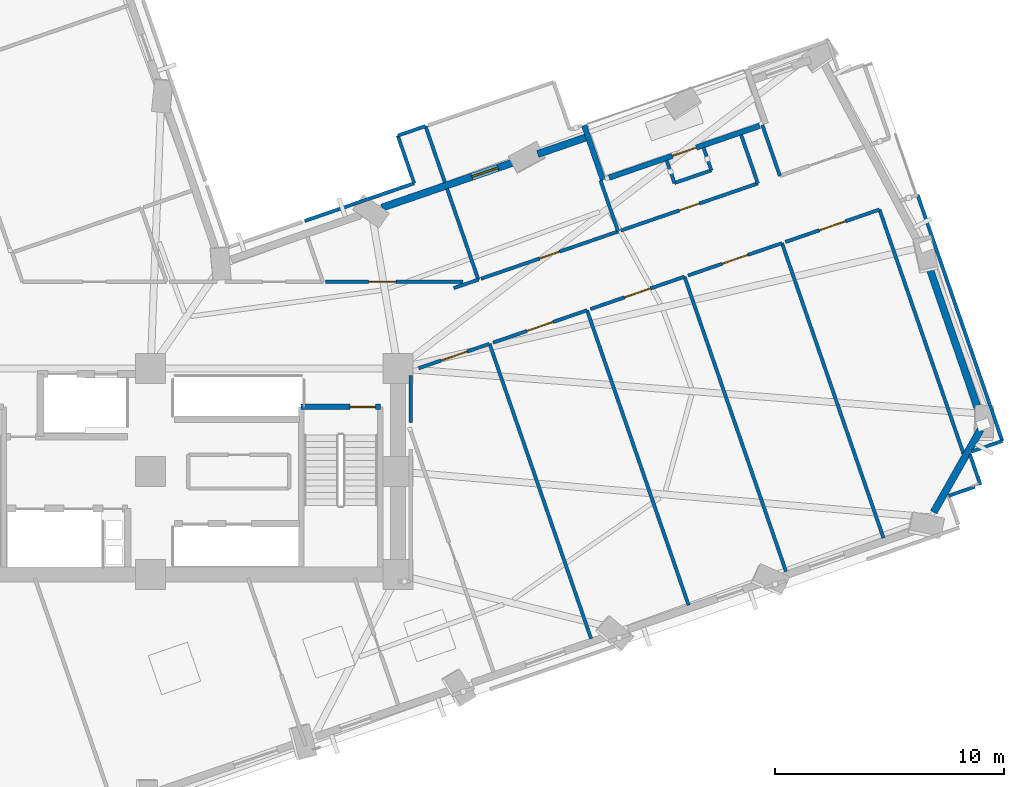
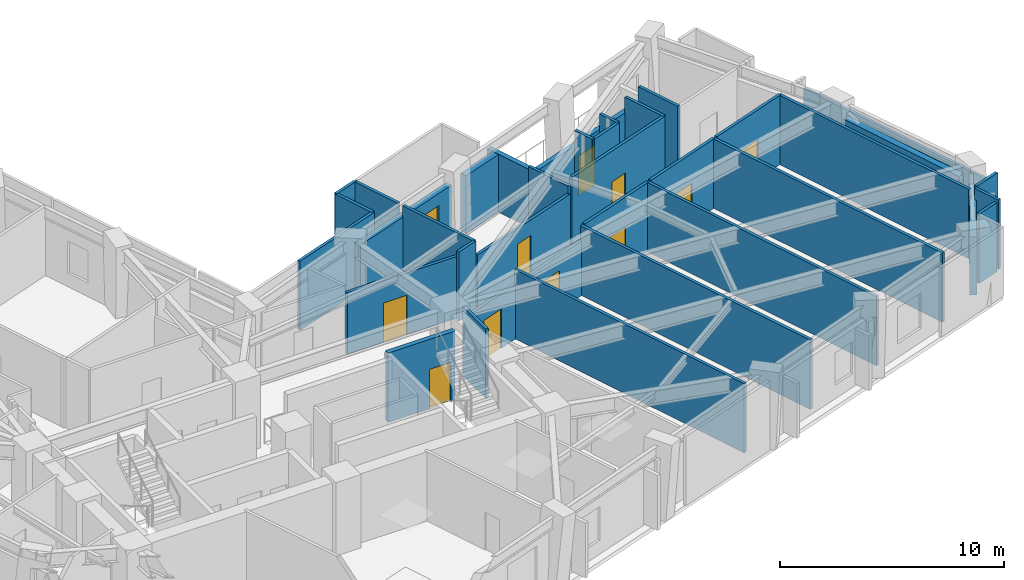
# One storey, part 9 of 15: 37 walls, 10 doors, 1 window, 11 openings.
"""IFC4 building model written with IfcOpenShell, lengths in metres."""

from ifc_helpers import new_model, si_unit, direction, frame, frame_2d, origin, place, context, subcontext, project, spatial, rectangle, extrude, material, layer, layer_set, type_object, element, fill, save


model = new_model("IFC4")

# Units and contexts
model_context = context("Model", 3, precision=1e-05, world=origin(), true_north=direction((0.0, 1.0)))
body_context = subcontext(model_context, "Body", "Model", "MODEL_VIEW")
ifc_project = project(units=[si_unit("LENGTHUNIT", "METRE"), si_unit("AREAUNIT", "SQUARE_METRE"), si_unit("VOLUMEUNIT", "CUBIC_METRE"), si_unit("PLANEANGLEUNIT", "RADIAN"), si_unit("MASSUNIT", "GRAM", prefix="KILO")], contexts=[model_context])

# Site, building, storey
site_placement = place(None, origin())
site = spatial("IfcSite", under=ifc_project, at=site_placement, CompositionType="ELEMENT")
building_placement = place(site_placement, origin())
building = spatial("IfcBuilding", under=site, at=building_placement, Name="Gaonmaruhae Medical Tower", CompositionType="ELEMENT")
storey_placement = place(building_placement, frame((0.0, 0.0, 104.39990234375)))
storey = spatial("IfcBuildingStorey", under=building, at=storey_placement, Name="L24", CompositionType="ELEMENT", Elevation=104.39990234375)

# Wall, opening, door
ifc_material_1 = material(Name="Precast concrete C45/55", Category="concrete")
ifc_layer_1 = layer(ifc_material_1, 0.239990234375)
ifc_layer_set_1 = layer_set([ifc_layer_1], Name="Precast concrete C45/55")
wall_type_1 = type_object("IfcWallType", Name="EW-240 Ribbon & Shelter Insulated Precast Wall", PredefinedType="SOLIDWALL", material=ifc_layer_set_1)
wall_1_placement = place(storey_placement, frame((44.807373046875, 25.12646484375, 0.0), z_axis=(0.0, 0.0, 1.0), x_axis=(0.945511565556, 0.325588512391, 0.0)))
wall_1 = element("IfcWall", 1, at=wall_1_placement, inside=storey, type_object=wall_type_1, Name="L24 Recessed Terrace Enclosure Wall TERB", PredefinedType="SOLIDWALL", context=body_context, shape_type="SweptSolid", body=[
    extrude(rectangle(XDim=6.9599609375, YDim=0.239990234375, at=frame_2d((3.47998046875, 0.0))), origin(), (0.0, 0.0, 1.0), 2.945068359375),
])
opening_1_placement = place(wall_1_placement, frame((2.929931640625, 0.0, 0.0)))
opening_1 = element("IfcOpeningElement", 2, at=opening_1_placement, cuts=wall_1, Name="Opening TD-01", PredefinedType="OPENING", context=body_context, shape_type="SweptSolid", body=[
    extrude(rectangle(XDim=1.10009765625, YDim=2.14990234375, at=frame_2d((0.550048828125, 1.074951171875))), frame((0.0, 0.1298828125, 0.0), z_axis=(0.0, -1.0, 0.0), x_axis=(1.0, 0.0, 0.0)), (0.0, 0.0, 1.0), 0.260009765625),
])
ifc_material_2 = material(Name="Anodised aluminium and toughened safety glass", Category="aluminium")
door_type_1 = type_object("IfcDoorType", Name="TD-01 Terrace & Sky Garden Glazed Door 1100x2150", OperationType="NOTDEFINED", PredefinedType="DOOR", material=ifc_material_2)
door_1_placement = place(opening_1_placement, origin())
door_1 = element("IfcDoor", 3, at=door_1_placement, inside=storey, type_object=door_type_1, Name="L24 Outdoor Terrace Access Door SLB-L24-TER", OperationType="SINGLE_SWING_RIGHT", OverallHeight=2.14990234375, OverallWidth=1.10009765625, PredefinedType="DOOR", context=body_context, shape_type="SweptSolid", body=[
    extrude(rectangle(XDim=1.10009765625, YDim=2.14990234375, at=frame_2d((0.550048828125, 1.074951171875))), frame((0.0, 0.02490234375, 0.0), z_axis=(0.0, -1.0, 0.0), x_axis=(1.0, 0.0, 0.0)), (0.0, 0.0, 1.0), 0.050048828125),
])
fill(opening_1, door_1)

# Walls
wall_2_placement = place(storey_placement, frame((43.728515625, 27.399169921875, 0.0), z_axis=(0.0, 0.0, 1.0), x_axis=(0.325587365823, -0.945511960377, 0.0)))
element("IfcWall", 4, at=wall_2_placement, inside=storey, type_object=wall_type_1, Name="L24 Recessed Terrace Enclosure Wall TERL", PredefinedType="SOLIDWALL", context=body_context, shape_type="SweptSolid", body=[
    extrude(rectangle(XDim=2.5, YDim=0.239990234375, at=frame_2d((1.25, 0.0))), origin(), (0.0, 0.0, 1.0), 3.1650390625),
])
ifc_layer_2 = layer(ifc_material_1, 0.320068359375)
ifc_layer_set_2 = layer_set([ifc_layer_2], Name="Precast concrete C45/55")
wall_type_2 = type_object("IfcWallType", Name="EW-320 Lower Precast Masonry-Frame Facade Wall", PredefinedType="SOLIDWALL", material=ifc_layer_set_2)
wall_3_placement = place(storey_placement, frame((61.02783203125, 14.130615234375, 0.0), z_axis=(0.0, 0.0, 1.0), x_axis=(-0.493205746838, -0.86991269176, 0.0)))
element("IfcWall", 5, at=wall_3_placement, inside=storey, type_object=wall_type_2, Name="L24 Precast Masonry-Frame Wall S07-E01", PredefinedType="SOLIDWALL", context=body_context, shape_type="SweptSolid", body=[
    extrude(rectangle(XDim=4.145263671875, YDim=0.320068359375, at=frame_2d((2.07275390625, 0.0))), origin(), (0.0, 0.0, 1.0), 3.1650390625),
])
wall_4_placement = place(storey_placement, frame((58.7109375, 21.443115234375, 0.0), z_axis=(0.0, 0.0, 1.0), x_axis=(0.325581466637, -0.945513991743, 0.0)))
element("IfcWall", 6, at=wall_4_placement, inside=storey, type_object=wall_type_2, Name="L24 Precast Masonry-Frame Wall E01-E02", PredefinedType="SOLIDWALL", context=body_context, shape_type="SweptSolid", body=[
    extrude(rectangle(XDim=6.84033203125, YDim=0.320068359375, at=frame_2d((3.420166015625, 0.0))), origin(), (0.0, 0.0, 1.0), 3.1650390625),
])
wall_5_placement = place(storey_placement, frame((41.700927734375, 26.16162109375, 0.0), z_axis=(0.0, 0.0, 1.0), x_axis=(0.945527409694, 0.325542497253, 0.0)))
element("IfcWall", 7, at=wall_5_placement, inside=storey, type_object=wall_type_2, Name="L24 Precast Masonry-Frame Wall EN01-EN02", PredefinedType="SOLIDWALL", context=body_context, shape_type="SweptSolid", body=[
    extrude(rectangle(XDim=2.300048828125, YDim=0.320068359375, at=frame_2d((1.14990234375, 0.0))), origin(), (0.0, 0.0, 1.0), 3.14501953125),
])

# Wall, opening, window
wall_6_placement = place(storey_placement, frame((34.8974609375, 23.819091796875, 0.0), z_axis=(0.0, 0.0, 1.0), x_axis=(0.945528264012, 0.325540015903, 0.0)))
wall_6 = element("IfcWall", 8, at=wall_6_placement, inside=storey, type_object=wall_type_2, Name="L24 Precast Masonry-Frame Wall EN02-EN03", PredefinedType="SOLIDWALL", context=body_context, shape_type="SweptSolid", body=[
    extrude(rectangle(XDim=6.211181640625, YDim=0.320068359375, at=frame_2d((3.10546875, 0.0))), origin(), (0.0, 0.0, 1.0), 3.1650390625),
])
opening_2_placement = place(wall_6_placement, frame((4.148193359375, 0.0, 0.75)))
opening_2 = element("IfcOpeningElement", 9, at=opening_2_placement, cuts=wall_6, Name="Opening WN-05", PredefinedType="OPENING", context=body_context, shape_type="SweptSolid", body=[
    extrude(rectangle(XDim=1.199951171875, YDim=1.75, at=frame_2d((0.60009765625, 0.875))), frame((0.0, 0.169921875, 0.0), z_axis=(0.0, -1.0, 0.0), x_axis=(1.0, 0.0, 0.0)), (0.0, 0.0, 1.0), 0.340087890625),
])
ifc_material_3 = material(Name="Anodised aluminium and Low-E double glazing", Category="aluminium")
window_type = type_object("IfcWindowType", Name="WN-05 Support & Staff Punched Window 1200x1750", PartitioningType="SINGLE_PANEL", PredefinedType="WINDOW", material=ifc_material_3)
window_placement = place(opening_2_placement, origin())
window = element("IfcWindow", 10, at=window_placement, inside=storey, type_object=window_type, Name="L24 Modular Facade Window EN02", OverallHeight=1.75, OverallWidth=1.199951171875, PartitioningType="SINGLE_PANEL", PredefinedType="WINDOW", context=body_context, shape_type="SweptSolid", body=[
    extrude(rectangle(XDim=1.199951171875, YDim=1.75, at=frame_2d((0.60009765625, 0.875))), frame((0.0, 0.030029296875, 0.0), z_axis=(0.0, -1.0, 0.0), x_axis=(1.0, 0.0, 0.0)), (0.0, 0.0, 1.0), 0.06005859375),
])
fill(opening_2, window)

# Wall, opening, door
ifc_material_4 = material(Name="Gypsum board partition", Category="gypsum")
ifc_layer_3 = layer(ifc_material_4, 0.14990234375)
ifc_layer_set_3 = layer_set([ifc_layer_3], Name="Gypsum board partition")
wall_type_3 = type_object("IfcWallType", Name="PW-150 Rated Clinical Corridor Partition", PredefinedType="PARTITIONING", material=ifc_layer_set_3)
wall_7_placement = place(storey_placement, frame((36.5, 16.80908203125, 0.0), z_axis=(0.0, 0.0, 1.0), x_axis=(0.945528180051, 0.325540259767, 0.0)))
wall_7 = element("IfcWall", 11, at=wall_7_placement, inside=storey, type_object=wall_type_3, Name="L24 Interior Partition L24-SUP07-15", PredefinedType="PARTITIONING", context=body_context, shape_type="SweptSolid", body=[
    extrude(rectangle(XDim=3.2744140625, YDim=0.14990234375, at=frame_2d((1.63720703125, 0.0))), origin(), (0.0, 0.0, 1.0), 2.965087890625),
])
opening_3_placement = place(wall_7_placement, frame((1.037109375, 0.0, 0.0)))
opening_3 = element("IfcOpeningElement", 12, at=opening_3_placement, cuts=wall_7, Name="Opening CD-02", PredefinedType="OPENING", context=body_context, shape_type="SweptSolid", body=[
    extrude(rectangle(XDim=1.199951171875, YDim=2.14990234375, at=frame_2d((0.60009765625, 1.074951171875))), frame((0.0, 0.0849609375, 0.0), z_axis=(0.0, -1.0, 0.0), x_axis=(1.0, 0.0, 0.0)), (0.0, 0.0, 1.0), 0.169921875),
])
ifc_material_5 = material(Name="Antimicrobial laminate timber fire door", Category="wood")
door_type_2 = type_object("IfcDoorType", Name="CD-02 Clinical Treatment & Procedure Door 1200x2150", OperationType="NOTDEFINED", PredefinedType="DOOR", material=ifc_material_5)
door_2_placement = place(opening_3_placement, origin())
door_2 = element("IfcDoor", 13, at=door_2_placement, inside=storey, type_object=door_type_2, Name="L24 Clinical Biomedical Charting Office Door", OperationType="SINGLE_SWING_RIGHT", OverallHeight=2.14990234375, OverallWidth=1.199951171875, PredefinedType="DOOR", context=body_context, shape_type="SweptSolid", body=[
    extrude(rectangle(XDim=1.199951171875, YDim=2.14990234375, at=frame_2d((0.60009765625, 1.074951171875))), frame((0.0, 0.02490234375, 0.0), z_axis=(0.0, -1.0, 0.0), x_axis=(1.0, 0.0, 0.0)), (0.0, 0.0, 1.0), 0.050048828125),
])
fill(opening_3, door_2)

# Walls
wall_8_placement = place(storey_placement, frame((39.595947265625, 17.875, 0.0), z_axis=(0.0, 0.0, 1.0), x_axis=(0.325604923225, -0.945505914298, 0.0)))
element("IfcWall", 14, at=wall_8_placement, inside=storey, type_object=wall_type_3, Name="L24 Interior Partition L24-SUP07-16", PredefinedType="PARTITIONING", context=body_context, shape_type="SweptSolid", body=[
    extrude(rectangle(XDim=13.614990234375, YDim=0.14990234375, at=frame_2d((6.8076171875, 0.0))), origin(), (0.0, 0.0, 1.0), 3.780029296875),
])
wall_9_placement = place(storey_placement, frame((36.14990234375, 14.446044921875, 0.0), z_axis=(0.0, 0.0, 1.0), x_axis=(0.0, 1.0, 0.0)))
element("IfcWall", 15, at=wall_9_placement, inside=storey, type_object=wall_type_3, Name="L24 Interior Partition L24-SUP07-18", PredefinedType="PARTITIONING", context=body_context, shape_type="SweptSolid", body=[
    extrude(rectangle(XDim=2.053955078125, YDim=0.14990234375, at=frame_2d((1.02685546875, 0.0))), origin(), (0.0, 0.0, 1.0), 3.780029296875),
])

# Wall, opening, door
wall_10_placement = place(storey_placement, frame((39.748046875, 17.927001953125, 0.0), z_axis=(0.0, 0.0, 1.0), x_axis=(0.945497269667, 0.325630024802, 0.0)))
wall_10 = element("IfcWall", 16, at=wall_10_placement, inside=storey, type_object=wall_type_3, Name="L24 Interior Partition L24-SUP08-19", PredefinedType="PARTITIONING", context=body_context, shape_type="SweptSolid", body=[
    extrude(rectangle(XDim=4.339599609375, YDim=0.14990234375, at=frame_2d((2.169921875, 0.0))), origin(), (0.0, 0.0, 1.0), 2.965087890625),
])
opening_4_placement = place(wall_10_placement, frame((1.569580078125, 0.0, 0.0)))
opening_4 = element("IfcOpeningElement", 17, at=opening_4_placement, cuts=wall_10, Name="Opening CD-02", PredefinedType="OPENING", context=body_context, shape_type="SweptSolid", body=[
    extrude(rectangle(XDim=1.199951171875, YDim=2.14990234375, at=frame_2d((0.60009765625, 1.074951171875))), frame((0.0, 0.0849609375, 0.0), z_axis=(0.0, -1.0, 0.0), x_axis=(1.0, 0.0, 0.0)), (0.0, 0.0, 1.0), 0.169921875),
])
door_3_placement = place(opening_4_placement, origin())
door_3 = element("IfcDoor", 18, at=door_3_placement, inside=storey, type_object=door_type_2, Name="L24 Clinical Biomedical Charting Office Door", OperationType="SINGLE_SWING_RIGHT", OverallHeight=2.14990234375, OverallWidth=1.199951171875, PredefinedType="DOOR", context=body_context, shape_type="SweptSolid", body=[
    extrude(rectangle(XDim=1.199951171875, YDim=2.14990234375, at=frame_2d((0.60009765625, 1.074951171875))), frame((0.0, 0.02490234375, 0.0), z_axis=(0.0, -1.0, 0.0), x_axis=(1.0, 0.0, 0.0)), (0.0, 0.0, 1.0), 0.050048828125),
])
fill(opening_4, door_3)

# Wall
wall_11_placement = place(storey_placement, frame((43.85107421875, 19.340087890625, 0.0), z_axis=(0.0, 0.0, 1.0), x_axis=(0.325588892423, -0.945511434691, 0.0)))
element("IfcWall", 19, at=wall_11_placement, inside=storey, type_object=wall_type_3, Name="L24 Interior Partition L24-SUP08-20", PredefinedType="PARTITIONING", context=body_context, shape_type="SweptSolid", body=[
    extrude(rectangle(XDim=13.614990234375, YDim=0.14990234375, at=frame_2d((6.8076171875, 0.0))), origin(), (0.0, 0.0, 1.0), 3.780029296875),
])

# Wall, opening, door
wall_12_placement = place(storey_placement, frame((44.001953125, 19.39208984375, 0.0), z_axis=(0.0, 0.0, 1.0), x_axis=(0.945538437295, 0.325510466188, 0.0)))
wall_12 = element("IfcWall", 20, at=wall_12_placement, inside=storey, type_object=wall_type_3, Name="L24 Interior Partition L24-SUP09-22", PredefinedType="PARTITIONING", context=body_context, shape_type="SweptSolid", body=[
    extrude(rectangle(XDim=4.34033203125, YDim=0.14990234375, at=frame_2d((2.170166015625, 0.0))), origin(), (0.0, 0.0, 1.0), 3.780029296875),
])
opening_5_placement = place(wall_12_placement, frame((1.5703125, 0.0, 0.0)))
opening_5 = element("IfcOpeningElement", 21, at=opening_5_placement, cuts=wall_12, Name="Opening CD-02", PredefinedType="OPENING", context=body_context, shape_type="SweptSolid", body=[
    extrude(rectangle(XDim=1.199951171875, YDim=2.14990234375, at=frame_2d((0.60009765625, 1.074951171875))), frame((0.0, 0.0849609375, 0.0), z_axis=(0.0, -1.0, 0.0), x_axis=(1.0, 0.0, 0.0)), (0.0, 0.0, 1.0), 0.169921875),
])
door_4_placement = place(opening_5_placement, origin())
door_4 = element("IfcDoor", 22, at=door_4_placement, inside=storey, type_object=door_type_2, Name="L24 Clinical Biomedical Charting Office Door", OperationType="SINGLE_SWING_LEFT", OverallHeight=2.14990234375, OverallWidth=1.199951171875, PredefinedType="DOOR", context=body_context, shape_type="SweptSolid", body=[
    extrude(rectangle(XDim=1.199951171875, YDim=2.14990234375, at=frame_2d((0.60009765625, 1.074951171875))), frame((0.0, 0.02490234375, 0.0), z_axis=(0.0, -1.0, 0.0), x_axis=(1.0, 0.0, 0.0)), (0.0, 0.0, 1.0), 0.050048828125),
])
fill(opening_5, door_4)

# Wall
wall_13_placement = place(storey_placement, frame((48.10595703125, 20.804931640625, 0.0), z_axis=(0.0, 0.0, 1.0), x_axis=(0.325540798332, -0.945527994626, 0.0)))
element("IfcWall", 23, at=wall_13_placement, inside=storey, type_object=wall_type_3, Name="L24 Interior Partition L24-SUP09-23", PredefinedType="PARTITIONING", context=body_context, shape_type="SweptSolid", body=[
    extrude(rectangle(XDim=13.61474609375, YDim=0.14990234375, at=frame_2d((6.807373046875, 0.0))), origin(), (0.0, 0.0, 1.0), 3.780029296875),
])

# Wall, opening, door
wall_14_placement = place(storey_placement, frame((48.257080078125, 20.85693359375, 0.0), z_axis=(0.0, 0.0, 1.0), x_axis=(0.945521123941, 0.325560753442, 0.0)))
wall_14 = element("IfcWall", 24, at=wall_14_placement, inside=storey, type_object=wall_type_3, Name="L24 Interior Partition L24-SUP10-25", PredefinedType="PARTITIONING", context=body_context, shape_type="SweptSolid", body=[
    extrude(rectangle(XDim=4.340576171875, YDim=0.14990234375, at=frame_2d((2.17041015625, 0.0))), origin(), (0.0, 0.0, 1.0), 3.780029296875),
])
opening_6_placement = place(wall_14_placement, frame((1.5703125, 0.0, 0.0)))
opening_6 = element("IfcOpeningElement", 25, at=opening_6_placement, cuts=wall_14, Name="Opening CD-02", PredefinedType="OPENING", context=body_context, shape_type="SweptSolid", body=[
    extrude(rectangle(XDim=1.199951171875, YDim=2.14990234375, at=frame_2d((0.60009765625, 1.074951171875))), frame((0.0, 0.0849609375, 0.0), z_axis=(0.0, -1.0, 0.0), x_axis=(1.0, 0.0, 0.0)), (0.0, 0.0, 1.0), 0.169921875),
])
door_5_placement = place(opening_6_placement, origin())
door_5 = element("IfcDoor", 26, at=door_5_placement, inside=storey, type_object=door_type_2, Name="L24 Clinical Biomedical Charting Office Door", OperationType="SINGLE_SWING_LEFT", OverallHeight=2.14990234375, OverallWidth=1.199951171875, PredefinedType="DOOR", context=body_context, shape_type="SweptSolid", body=[
    extrude(rectangle(XDim=1.199951171875, YDim=2.14990234375, at=frame_2d((0.60009765625, 1.074951171875))), frame((0.0, 0.02490234375, 0.0), z_axis=(0.0, -1.0, 0.0), x_axis=(1.0, 0.0, 0.0)), (0.0, 0.0, 1.0), 0.050048828125),
])
fill(opening_6, door_5)

# Wall
wall_15_placement = place(storey_placement, frame((52.361083984375, 22.27001953125, 0.0), z_axis=(0.0, 0.0, 1.0), x_axis=(0.325524766407, -0.94553351419, 0.0)))
element("IfcWall", 27, at=wall_15_placement, inside=storey, type_object=wall_type_3, Name="L24 Interior Partition L24-SUP10-26", PredefinedType="PARTITIONING", context=body_context, shape_type="SweptSolid", body=[
    extrude(rectangle(XDim=13.614501953125, YDim=0.14990234375, at=frame_2d((6.80712890625, 0.0))), origin(), (0.0, 0.0, 1.0), 3.780029296875),
])

# Wall, opening, door
wall_16_placement = place(storey_placement, frame((52.511962890625, 22.322021484375, 0.0), z_axis=(0.0, 0.0, 1.0), x_axis=(0.945521123941, 0.325560753442, 0.0)))
wall_16 = element("IfcWall", 28, at=wall_16_placement, inside=storey, type_object=wall_type_3, Name="L24 Interior Partition L24-SUP11-28", PredefinedType="PARTITIONING", context=body_context, shape_type="SweptSolid", body=[
    extrude(rectangle(XDim=4.340576171875, YDim=0.14990234375, at=frame_2d((2.17041015625, 0.0))), origin(), (0.0, 0.0, 1.0), 3.780029296875),
])
opening_7_placement = place(wall_16_placement, frame((1.5703125, 0.0, 0.0)))
opening_7 = element("IfcOpeningElement", 29, at=opening_7_placement, cuts=wall_16, Name="Opening CD-02", PredefinedType="OPENING", context=body_context, shape_type="SweptSolid", body=[
    extrude(rectangle(XDim=1.199951171875, YDim=2.14990234375, at=frame_2d((0.60009765625, 1.074951171875))), frame((0.0, 0.0849609375, 0.0), z_axis=(0.0, -1.0, 0.0), x_axis=(1.0, 0.0, 0.0)), (0.0, 0.0, 1.0), 0.169921875),
])
door_6_placement = place(opening_7_placement, origin())
door_6 = element("IfcDoor", 30, at=door_6_placement, inside=storey, type_object=door_type_2, Name="L24 Clinical Biomedical Charting Office Door", OperationType="SINGLE_SWING_LEFT", OverallHeight=2.14990234375, OverallWidth=1.199951171875, PredefinedType="DOOR", context=body_context, shape_type="SweptSolid", body=[
    extrude(rectangle(XDim=1.199951171875, YDim=2.14990234375, at=frame_2d((0.60009765625, 1.074951171875))), frame((0.0, 0.02490234375, 0.0), z_axis=(0.0, -1.0, 0.0), x_axis=(1.0, 0.0, 0.0)), (0.0, 0.0, 1.0), 0.050048828125),
])
fill(opening_7, door_6)

# Walls
wall_17_placement = place(storey_placement, frame((56.615966796875, 23.735107421875, 0.0), z_axis=(0.0, 0.0, 1.0), x_axis=(0.325559014634, -0.945521722643, 0.0)))
element("IfcWall", 31, at=wall_17_placement, inside=storey, type_object=wall_type_3, Name="L24 Interior Partition L24-SUP11-29", PredefinedType="PARTITIONING", context=body_context, shape_type="SweptSolid", body=[
    extrude(rectangle(XDim=11.2607421875, YDim=0.14990234375, at=frame_2d((5.63037109375, 0.0))), origin(), (0.0, 0.0, 1.0), 3.780029296875),
])
wall_18_placement = place(storey_placement, frame((60.782958984375, 11.632080078125, 0.0), z_axis=(0.0, 0.0, 1.0), x_axis=(-0.945667292467, -0.325135928434, 0.0)))
element("IfcWall", 32, at=wall_18_placement, inside=storey, type_object=wall_type_3, Name="L24 Interior Partition L24-SUP11-31", PredefinedType="PARTITIONING", context=body_context, shape_type="SweptSolid", body=[
    extrude(rectangle(XDim=1.21484375, YDim=0.14990234375, at=frame_2d((0.607421875, 0.0))), origin(), (0.0, 0.0, 1.0), 3.780029296875),
])

# Wall, opening, door
wall_19_placement = place(storey_placement, frame((38.43701171875, 20.580078125, 0.0), z_axis=(0.0, 0.0, 1.0), x_axis=(-1.0, 0.0, 0.0)))
wall_19 = element("IfcWall", 33, at=wall_19_placement, inside=storey, type_object=wall_type_3, Name="L24 Interior Partition L24-IE03-70", PredefinedType="PARTITIONING", context=body_context, shape_type="SweptSolid", body=[
    extrude(rectangle(XDim=5.992919921875, YDim=0.14990234375, at=frame_2d((2.99658203125, 0.0))), origin(), (0.0, 0.0, 1.0), 3.364990234375),
])
opening_8_placement = place(wall_19_placement, frame((2.919677734375, 0.0, 0.0)))
opening_8 = element("IfcOpeningElement", 34, at=opening_8_placement, cuts=wall_19, Name="Opening CD-02", PredefinedType="OPENING", context=body_context, shape_type="SweptSolid", body=[
    extrude(rectangle(XDim=1.199951171875, YDim=2.14990234375, at=frame_2d((0.60009765625, 1.074951171875))), frame((0.0, 0.0849609375, 0.0), z_axis=(0.0, -1.0, 0.0), x_axis=(1.0, 0.0, 0.0)), (0.0, 0.0, 1.0), 0.169921875),
])
door_7_placement = place(opening_8_placement, origin())
door_7 = element("IfcDoor", 35, at=door_7_placement, inside=storey, type_object=door_type_2, Name="L24 Clean Medication Preparation Room Door", OperationType="SINGLE_SWING_RIGHT", OverallHeight=2.14990234375, OverallWidth=1.199951171875, PredefinedType="DOOR", context=body_context, shape_type="SweptSolid", body=[
    extrude(rectangle(XDim=1.199951171875, YDim=2.14990234375, at=frame_2d((0.60009765625, 1.074951171875))), frame((0.0, 0.02490234375, 0.0), z_axis=(0.0, -1.0, 0.0), x_axis=(1.0, 0.0, 0.0)), (0.0, 0.0, 1.0), 0.050048828125),
])
fill(opening_8, door_7)

# Walls
wall_20_placement = place(storey_placement, frame((31.528076171875, 23.240966796875, 0.0), z_axis=(0.0, 0.0, 1.0), x_axis=(0.945523924951, 0.325552618398, 0.0)))
element("IfcWall", 36, at=wall_20_placement, inside=storey, type_object=wall_type_3, Name="L24 Interior Partition L24-IE03-71", PredefinedType="PARTITIONING", context=body_context, shape_type="SweptSolid", body=[
    extrude(rectangle(XDim=5.050048828125, YDim=0.14990234375, at=frame_2d((2.52490234375, 0.0))), origin(), (0.0, 0.0, 1.0), 3.780029296875),
])
wall_21_placement = place(storey_placement, frame((36.302978515625, 24.885009765625, 0.0), z_axis=(0.0, 0.0, 1.0), x_axis=(-0.325898350166, 0.9454048156, 0.0)))
element("IfcWall", 37, at=wall_21_placement, inside=storey, type_object=wall_type_3, Name="L24 Interior Partition L24-IE03-72", PredefinedType="PARTITIONING", context=body_context, shape_type="SweptSolid", body=[
    extrude(rectangle(XDim=2.2001953125, YDim=0.14990234375, at=frame_2d((1.10009765625, 0.0))), origin(), (0.0, 0.0, 1.0), 3.780029296875),
])
wall_22_placement = place(storey_placement, frame((35.5859375, 26.965087890625, 0.0), z_axis=(0.0, 0.0, 1.0), x_axis=(0.945692084329, 0.325063811639, 0.0)))
element("IfcWall", 38, at=wall_22_placement, inside=storey, type_object=wall_type_3, Name="L24 Interior Partition L24-IE03-73", PredefinedType="PARTITIONING", context=body_context, shape_type="SweptSolid", body=[
    extrude(rectangle(XDim=1.28271484375, YDim=0.14990234375, at=frame_2d((0.641357421875, 0.0))), origin(), (0.0, 0.0, 1.0), 3.780029296875),
])
wall_23_placement = place(storey_placement, frame((36.799072265625, 27.382080078125, 0.0), z_axis=(0.0, 0.0, 1.0), x_axis=(0.32542945251, -0.945566323131, 0.0)))
element("IfcWall", 39, at=wall_23_placement, inside=storey, type_object=wall_type_3, Name="L24 Interior Partition L24-IE03-74", PredefinedType="PARTITIONING", context=body_context, shape_type="SweptSolid", body=[
    extrude(rectangle(XDim=2.614501953125, YDim=0.14990234375, at=frame_2d((1.30712890625, 0.0))), origin(), (0.0, 0.0, 1.0), 3.780029296875),
])
wall_24_placement = place(storey_placement, frame((37.738037109375, 24.654052734375, 0.0), z_axis=(0.0, 0.0, 1.0), x_axis=(0.325530808682, -0.945531433956, 0.0)))
element("IfcWall", 40, at=wall_24_placement, inside=storey, type_object=wall_type_3, Name="L24 Interior Partition L24-IE03-75", PredefinedType="PARTITIONING", context=body_context, shape_type="SweptSolid", body=[
    extrude(rectangle(XDim=4.205078125, YDim=0.14990234375, at=frame_2d((2.1025390625, 0.0))), origin(), (0.0, 0.0, 1.0), 3.780029296875),
])
wall_25_placement = place(storey_placement, frame((39.10693359375, 20.677978515625, 0.0), z_axis=(0.0, 0.0, 1.0), x_axis=(-0.945771021348, -0.324834073304, 0.0)))
element("IfcWall", 41, at=wall_25_placement, inside=storey, type_object=wall_type_3, Name="L24 Interior Partition L24-IE03-76", PredefinedType="PARTITIONING", context=body_context, shape_type="SweptSolid", body=[
    extrude(rectangle(XDim=1.138671875, YDim=0.14990234375, at=frame_2d((0.5693359375, 0.0))), origin(), (0.0, 0.0, 1.0), 3.780029296875),
])
wall_26_placement = place(storey_placement, frame((44.44189453125, 25.0009765625, 0.0), z_axis=(0.0, 0.0, 1.0), x_axis=(0.325593639514, -0.945509800006, 0.0)))
element("IfcWall", 42, at=wall_26_placement, inside=storey, type_object=wall_type_3, Name="L24 Interior Partition L24-IE04-78", PredefinedType="PARTITIONING", context=body_context, shape_type="SweptSolid", body=[
    extrude(rectangle(XDim=2.349853515625, YDim=0.14990234375, at=frame_2d((1.1748046875, 0.0))), origin(), (0.0, 0.0, 1.0), 3.364990234375),
])

# Wall, opening, door
wall_27_placement = place(storey_placement, frame((45.20703125, 22.779052734375, 0.0), z_axis=(0.0, 0.0, 1.0), x_axis=(-0.945494195691, -0.325638950243, 0.0)))
wall_27 = element("IfcWall", 43, at=wall_27_placement, inside=storey, type_object=wall_type_3, Name="L24 Interior Partition L24-IE04-79", PredefinedType="PARTITIONING", context=body_context, shape_type="SweptSolid", body=[
    extrude(rectangle(XDim=6.332275390625, YDim=0.14990234375, at=frame_2d((3.166015625, 0.0))), origin(), (0.0, 0.0, 1.0), 2.945068359375),
])
opening_9_placement = place(wall_27_placement, frame((2.7060546875, 0.0, 0.0)))
opening_9 = element("IfcOpeningElement", 44, at=opening_9_placement, cuts=wall_27, Name="Opening UD-01", PredefinedType="OPENING", context=body_context, shape_type="SweptSolid", body=[
    extrude(rectangle(XDim=0.919921875, YDim=2.10009765625, at=frame_2d((0.4599609375, 1.050048828125))), frame((0.0, 0.0849609375, 0.0), z_axis=(0.0, -1.0, 0.0), x_axis=(1.0, 0.0, 0.0)), (0.0, 0.0, 1.0), 0.169921875),
])
ifc_material_6 = material(Name="Powder-coated steel utility door", Category="steel")
door_type_3 = type_object("IfcDoorType", Name="UD-01 Toilet, Utility & Housekeeping Door 920x2100", OperationType="NOTDEFINED", PredefinedType="DOOR", material=ifc_material_6)
door_8_placement = place(opening_9_placement, origin())
door_8 = element("IfcDoor", 45, at=door_8_placement, inside=storey, type_object=door_type_3, Name="L24 Accessible Public Toilet Door", OperationType="SINGLE_SWING_LEFT", OverallHeight=2.10009765625, OverallWidth=0.919921875, PredefinedType="DOOR", context=body_context, shape_type="SweptSolid", body=[
    extrude(rectangle(XDim=0.919921875, YDim=2.10009765625, at=frame_2d((0.4599609375, 1.050048828125))), frame((0.0, 0.02490234375, 0.0), z_axis=(0.0, -1.0, 0.0), x_axis=(1.0, 0.0, 0.0)), (0.0, 0.0, 1.0), 0.050048828125),
])
fill(opening_9, door_8)

# Walls
wall_28_placement = place(storey_placement, frame((47.323974609375, 25.89306640625, 0.0), z_axis=(0.0, 0.0, 1.0), x_axis=(0.325855262185, -0.945419667717, 0.0)))
element("IfcWall", 46, at=wall_28_placement, inside=storey, type_object=wall_type_3, Name="L24 Interior Partition L24-IE05-82", PredefinedType="PARTITIONING", context=body_context, shape_type="SweptSolid", body=[
    extrude(rectangle(XDim=1.0556640625, YDim=0.14990234375, at=frame_2d((0.52783203125, 0.0))), origin(), (0.0, 0.0, 1.0), 3.780029296875),
])
wall_29_placement = place(storey_placement, frame((47.66796875, 24.89501953125, 0.0), z_axis=(0.0, 0.0, 1.0), x_axis=(0.945462954433, 0.325729645249, 0.0)))
element("IfcWall", 47, at=wall_29_placement, inside=storey, type_object=wall_type_3, Name="L24 Interior Partition L24-IE05-83", PredefinedType="PARTITIONING", context=body_context, shape_type="SweptSolid", body=[
    extrude(rectangle(XDim=1.70068359375, YDim=0.14990234375, at=frame_2d((0.850341796875, 0.0))), origin(), (0.0, 0.0, 1.0), 3.780029296875),
])
wall_30_placement = place(storey_placement, frame((49.27587890625, 25.448974609375, 0.0), z_axis=(0.0, 0.0, 1.0), x_axis=(-0.324821124722, 0.945775468563, 0.0)))
element("IfcWall", 48, at=wall_30_placement, inside=storey, type_object=wall_type_3, Name="L24 Interior Partition L24-IE05-84", PredefinedType="PARTITIONING", context=body_context, shape_type="SweptSolid", body=[
    extrude(rectangle(XDim=1.05517578125, YDim=0.14990234375, at=frame_2d((0.527587890625, 0.0))), origin(), (0.0, 0.0, 1.0), 3.780029296875),
])
wall_31_placement = place(storey_placement, frame((50.572021484375, 27.010986328125, 0.0), z_axis=(0.0, 0.0, 1.0), x_axis=(0.325857226799, -0.945418990577, 0.0)))
element("IfcWall", 49, at=wall_31_placement, inside=storey, type_object=wall_type_3, Name="L24 Interior Partition L24-IE05-85", PredefinedType="PARTITIONING", context=body_context, shape_type="SweptSolid", body=[
    extrude(rectangle(XDim=2.255126953125, YDim=0.14990234375, at=frame_2d((1.12744140625, 0.0))), origin(), (0.0, 0.0, 1.0), 3.780029296875),
])

# Wall, opening, door
wall_32_placement = place(storey_placement, frame((51.306884765625, 24.87890625, 0.0), z_axis=(0.0, 0.0, 1.0), x_axis=(-0.94554945318, -0.325478465634, 0.0)))
wall_32 = element("IfcWall", 50, at=wall_32_placement, inside=storey, type_object=wall_type_3, Name="L24 Interior Partition L24-IE05-86", PredefinedType="PARTITIONING", context=body_context, shape_type="SweptSolid", body=[
    extrude(rectangle(XDim=6.33154296875, YDim=0.14990234375, at=frame_2d((3.165771484375, 0.0))), origin(), (0.0, 0.0, 1.0), 3.780029296875),
])
opening_10_placement = place(wall_32_placement, frame((2.705810546875, 0.0, 0.0)))
opening_10 = element("IfcOpeningElement", 51, at=opening_10_placement, cuts=wall_32, Name="Opening UD-01", PredefinedType="OPENING", context=body_context, shape_type="SweptSolid", body=[
    extrude(rectangle(XDim=0.919921875, YDim=2.10009765625, at=frame_2d((0.4599609375, 1.050048828125))), frame((0.0, 0.0849609375, 0.0), z_axis=(0.0, -1.0, 0.0), x_axis=(1.0, 0.0, 0.0)), (0.0, 0.0, 1.0), 0.169921875),
])
door_9_placement = place(opening_10_placement, origin())
door_9 = element("IfcDoor", 52, at=door_9_placement, inside=storey, type_object=door_type_3, Name="L24 Ward Housekeeping and Linen Store Door", OperationType="SINGLE_SWING_LEFT", OverallHeight=2.10009765625, OverallWidth=0.919921875, PredefinedType="DOOR", context=body_context, shape_type="SweptSolid", body=[
    extrude(rectangle(XDim=0.919921875, YDim=2.10009765625, at=frame_2d((0.4599609375, 1.050048828125))), frame((0.0, 0.02490234375, 0.0), z_axis=(0.0, -1.0, 0.0), x_axis=(1.0, 0.0, 0.0)), (0.0, 0.0, 1.0), 0.050048828125),
])
fill(opening_10, door_9)

# Walls
wall_33_placement = place(storey_placement, frame((52.26708984375, 25.2099609375, 0.0), z_axis=(0.0, 0.0, 1.0), x_axis=(-0.325593639514, 0.945509800006, 0.0)))
element("IfcWall", 53, at=wall_33_placement, inside=storey, type_object=wall_type_3, Name="L24 Interior Partition L24-IE06-92", PredefinedType="PARTITIONING", context=body_context, shape_type="SweptSolid", body=[
    extrude(rectangle(XDim=2.349853515625, YDim=0.14990234375, at=frame_2d((1.1748046875, 0.0))), origin(), (0.0, 0.0, 1.0), 3.780029296875),
])
wall_34_placement = place(storey_placement, frame((60.56689453125, 13.0439453125, 0.0), z_axis=(0.0, 0.0, 1.0), x_axis=(0.325444142701, -0.945561267175, 0.0)))
element("IfcWall", 54, at=wall_34_placement, inside=storey, type_object=wall_type_3, Name="L24 Interior Partition L24-RM03-111", PredefinedType="PARTITIONING", context=body_context, shape_type="SweptSolid", body=[
    extrude(rectangle(XDim=1.404296875, YDim=0.14990234375, at=frame_2d((0.7021484375, 0.0))), origin(), (0.0, 0.0, 1.0), 3.780029296875),
])
wall_35_placement = place(storey_placement, frame((58.281005859375, 24.382080078125, 0.0), z_axis=(0.0, 0.0, 1.0), x_axis=(0.325521437067, -0.945534660396, 0.0)))
element("IfcWall", 55, at=wall_35_placement, inside=storey, type_object=wall_type_3, Name="L24 Interior Partition L24-RM04-113", PredefinedType="PARTITIONING", context=body_context, shape_type="SweptSolid", body=[
    extrude(rectangle(XDim=11.369140625, YDim=0.14990234375, at=frame_2d((5.6845703125, 0.0))), origin(), (0.0, 0.0, 1.0), 3.1650390625),
])
wall_36_placement = place(storey_placement, frame((61.98193359375, 13.632080078125, 0.0), z_axis=(0.0, 0.0, 1.0), x_axis=(-0.945440490134, -0.325794842831, 0.0)))
element("IfcWall", 56, at=wall_36_placement, inside=storey, type_object=wall_type_3, Name="L24 Interior Partition L24-RM04-114", PredefinedType="PARTITIONING", context=body_context, shape_type="SweptSolid", body=[
    extrude(rectangle(XDim=1.421630859375, YDim=0.14990234375, at=frame_2d((0.7109375, 0.0))), origin(), (0.0, 0.0, 1.0), 3.780029296875),
])

# Wall, opening, door
ifc_material_7 = material(Name="Concrete C50/60", Category="concrete")
ifc_layer_4 = layer(ifc_material_7, 0.239990234375)
ifc_layer_set_4 = layer_set([ifc_layer_4], Name="Concrete C50/60")
wall_type_4 = type_object("IfcWallType", Name="SW-240 Dogleg Stair Tight Shaft Wall", PredefinedType="SOLIDWALL", material=ifc_layer_set_4)
wall_37_placement = place(storey_placement, frame((31.3701171875, 15.1201171875, 0.0), z_axis=(0.0, 0.0, 1.0), x_axis=(1.0, 0.0, 0.0)))
wall_37 = element("IfcWall", 57, at=wall_37_placement, inside=storey, type_object=wall_type_4, Name="L24 ST-02 Stair Shaft Wall SHW-ST-02-N", PredefinedType="SOLIDWALL", context=body_context, shape_type="SweptSolid", body=[
    extrude(rectangle(XDim=3.4599609375, YDim=0.239990234375, at=frame_2d((1.72998046875, 0.0))), origin(), (0.0, 0.0, 1.0), 3.780029296875),
])
opening_11_placement = place(wall_37_placement, frame((2.139892578125, 0.0, 0.0)))
opening_11 = element("IfcOpeningElement", 58, at=opening_11_placement, cuts=wall_37, Name="Opening FD-01", PredefinedType="OPENING", context=body_context, shape_type="SweptSolid", body=[
    extrude(rectangle(XDim=1.10009765625, YDim=2.14990234375, at=frame_2d((0.550048828125, 1.074951171875))), frame((0.0, 0.1298828125, 0.0), z_axis=(0.0, -1.0, 0.0), x_axis=(1.0, 0.0, 0.0)), (0.0, 0.0, 1.0), 0.260009765625),
])
ifc_material_8 = material(Name="Powder-coated steel fire door", Category="steel")
door_type_4 = type_object("IfcDoorType", Name="FD-01 Escape Stair Protected Fire Door 1100x2150", OperationType="NOTDEFINED", PredefinedType="DOOR", material=ifc_material_8)
door_10_placement = place(opening_11_placement, origin())
door_10 = element("IfcDoor", 59, at=door_10_placement, inside=storey, type_object=door_type_4, Name="L24 ST-02 Protected Escape Stair Door", OperationType="SINGLE_SWING_LEFT", OverallHeight=2.14990234375, OverallWidth=1.10009765625, PredefinedType="DOOR", context=body_context, shape_type="SweptSolid", body=[
    extrude(rectangle(XDim=1.10009765625, YDim=2.14990234375, at=frame_2d((0.550048828125, 1.074951171875))), frame((0.0, 0.02490234375, 0.0), z_axis=(0.0, -1.0, 0.0), x_axis=(1.0, 0.0, 0.0)), (0.0, 0.0, 1.0), 0.050048828125),
])
fill(opening_11, door_10)

save(model, "model.ifc")
